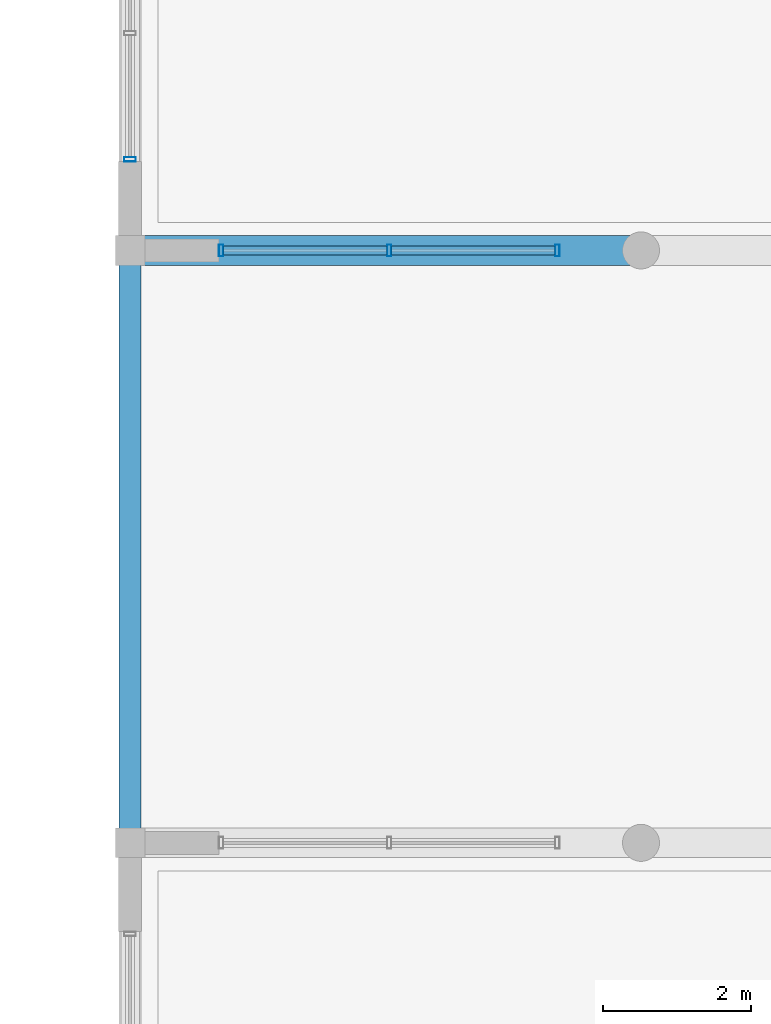
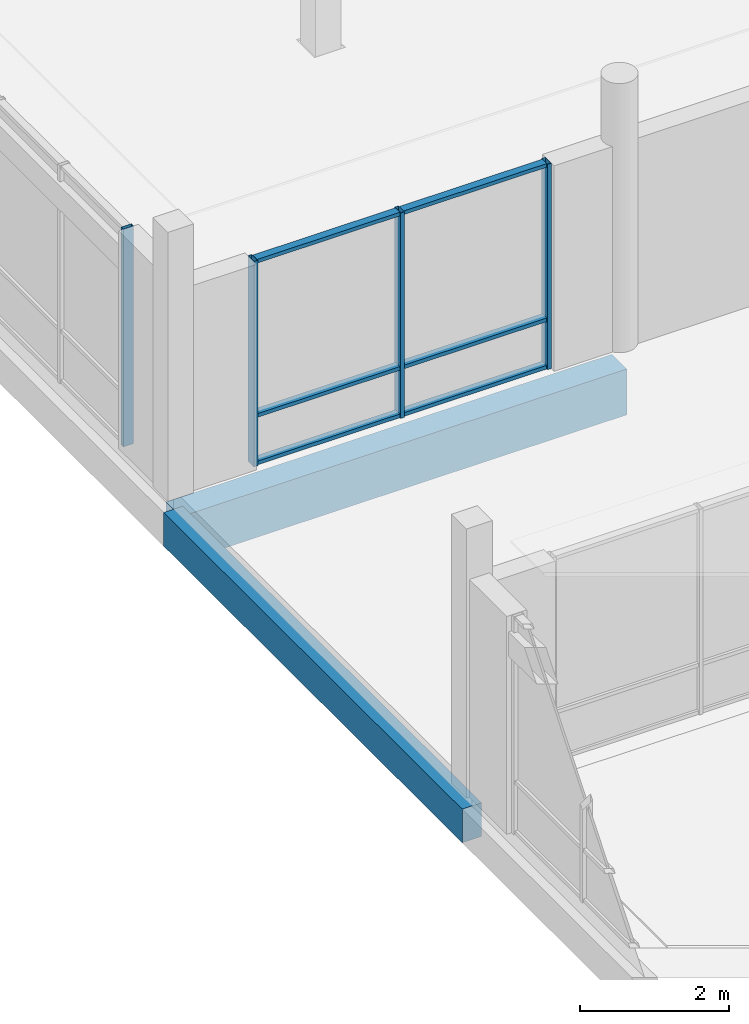
# One storey, part 54 of 233: 10 members, 2 beams, 2 elements without a shape of their own.
"""IFC4 building model written with IfcOpenShell, lengths in metres."""

import ifcopenshell
import ifcopenshell.guid

model = None  # the IFC model being written
_history = None  # IfcOwnerHistory: only IFC2X3 demands one
_inside = {}  # id of a spatial element -> (the spatial element, [elements in it])
_under = {}  # id of a project, library or spatial element -> (it, [spatial elements below it])
_declared = {}  # id of a project -> (the project, [libraries it declares])
_typed = {}  # id of a type object -> (the type object, [elements of that type])
_made_of = {}  # id of a material, layer set ... -> (it, [elements and type objects made of it])


def new_model(schema):
    """Start an empty IFC model of exactly this schema.

    Asked for "IFC4X3", IfcOpenShell would pick the latest addendum, in which some entities
    have other attributes; the version numbers below select the first issue.
    IFC2X3 requires an IfcOwnerHistory on every rooted entity: one is made here for all.
    """
    global model, _history
    if schema == "IFC4X3":
        model = ifcopenshell.file(schema_version=(4, 3, 0, 0))
    else:
        model = ifcopenshell.file(schema=schema)
    _inside.clear()
    _under.clear()
    _declared.clear()
    _typed.clear()
    _made_of.clear()
    _history = None
    if model.schema == "IFC2X3":
        org = make("IfcOrganization", Name="unknown")
        user = make(
            "IfcPersonAndOrganization",
            ThePerson=make("IfcPerson", FamilyName="unknown"),
            TheOrganization=org,
        )
        app = make(
            "IfcApplication",
            ApplicationDeveloper=org,
            Version="unknown",
            ApplicationFullName="unknown",
            ApplicationIdentifier="unknown",
        )
        _history = make(
            "IfcOwnerHistory",
            OwningUser=user,
            OwningApplication=app,
            ChangeAction="ADDED",
            CreationDate=0,
        )
    return model


def make(cls, **values):
    """One entity of the class cls with the attributes given. An attribute that is None is left unset."""
    return model.create_entity(
        cls, **{name: value for name, value in values.items() if value is not None}
    )


def rooted(cls, **values):
    """An entity with a GlobalId (a new one), such as an element, a storey or a relation."""
    return make(cls, GlobalId=ifcopenshell.guid.new(), OwnerHistory=_history, **values)


def si_unit(unit_type, name, prefix=None):
    """IfcSIUnit, for example si_unit("LENGTHUNIT", "METRE", prefix="MILLI")."""
    return make("IfcSIUnit", UnitType=unit_type, Prefix=prefix, Name=name)


def assignment(units):
    """IfcUnitAssignment: the units of a project."""
    return None if units is None else make("IfcUnitAssignment", Units=units)


def point(xyz):
    """IfcCartesianPoint."""
    return None if xyz is None else make("IfcCartesianPoint", Coordinates=xyz)


def direction(xyz):
    """IfcDirection."""
    return None if xyz is None else make("IfcDirection", DirectionRatios=xyz)


def frame(location, z_axis=None, x_axis=None):
    """IfcAxis2Placement3D, a coordinate frame: its origin and axes. An axis left out is left unset."""
    return make(
        "IfcAxis2Placement3D",
        Location=point(location),
        Axis=direction(z_axis),
        RefDirection=direction(x_axis),
    )


def frame_2d(location, x_axis=None):
    """IfcAxis2Placement2D, a coordinate frame in the plane: its origin and x axis."""
    return make(
        "IfcAxis2Placement2D", Location=point(location), RefDirection=direction(x_axis)
    )


def origin():
    """The frame at (0, 0, 0) with its axes left unset."""
    return frame((0.0, 0.0, 0.0))


def origin_2d():
    """The frame at (0, 0) in the plane with its x axis left unset."""
    return frame_2d((0.0, 0.0))


def place(relative_to, where):
    """IfcLocalPlacement: puts the frame where relative to a parent placement (None: the world)."""
    return make(
        "IfcLocalPlacement", PlacementRelTo=relative_to, RelativePlacement=where
    )


def context(
    kind, dimensions, precision=None, world=None, true_north=None, identifier=None
):
    """IfcGeometricRepresentationContext, for example the 3D "Model" context."""
    return make(
        "IfcGeometricRepresentationContext",
        ContextIdentifier=identifier,
        ContextType=kind,
        CoordinateSpaceDimension=dimensions,
        Precision=precision,
        WorldCoordinateSystem=world,
        TrueNorth=true_north,
    )


def subcontext(parent, identifier, kind, view, scale=None):
    """IfcGeometricRepresentationSubContext, for example "Body" below "Model"."""
    return make(
        "IfcGeometricRepresentationSubContext",
        ContextIdentifier=identifier,
        ContextType=kind,
        ParentContext=parent,
        TargetScale=scale,
        TargetView=view,
    )


def project(units=None, contexts=None):
    """IfcProject with its units and contexts."""
    return rooted(
        "IfcProject",
        Name="project",
        RepresentationContexts=contexts,
        UnitsInContext=assignment(units),
    )


def spatial(cls, under=None, at=None, **own):
    """A site, building, storey or space (cls), placed at a placement, below another one or the project."""
    s = rooted(cls, ObjectPlacement=at, **own)
    if under is not None:
        _under.setdefault(under.id(), (under, []))[1].append(s)
    return s


def profile(cls, at=None, kind="AREA", **sizes):
    """A parametric profile (cls). Its sizes go by their IFC names, for example OverallWidth=200.0."""
    return make(cls, ProfileType=kind, Position=at, **sizes)


def rectangle(**sizes):
    """IfcRectangleProfileDef."""
    return profile("IfcRectangleProfileDef", **sizes)


def hollow_rectangle(**sizes):
    """IfcRectangleHollowProfileDef."""
    return profile("IfcRectangleHollowProfileDef", **sizes)


def extrude(swept, where, along, depth):
    """IfcExtrudedAreaSolid: the profile swept, set in the frame where, extruded along a direction by depth."""
    return make(
        "IfcExtrudedAreaSolid",
        SweptArea=swept,
        Position=where,
        ExtrudedDirection=direction(along),
        Depth=depth,
    )


def shape(context_of_items, identifier, shape_type, items):
    """IfcShapeRepresentation: the items that make up one representation, for example the "Body"."""
    return make(
        "IfcShapeRepresentation",
        ContextOfItems=context_of_items,
        RepresentationIdentifier=identifier,
        RepresentationType=shape_type,
        Items=items,
    )


def material(Name=None, Category=None):
    """IfcMaterial."""
    return make("IfcMaterial", Name=Name, Category=Category)


def material_profile(
    of_material, cross_section, Name=None, Category=None, Priority=None
):
    """IfcMaterialProfile: a cross section and its material."""
    return make(
        "IfcMaterialProfile",
        Name=Name,
        Material=of_material,
        Profile=cross_section,
        Priority=Priority,
        Category=Category,
    )


def profile_set(profiles, Name=None, composite=None):
    """IfcMaterialProfileSet."""
    return make(
        "IfcMaterialProfileSet",
        Name=Name,
        MaterialProfiles=profiles,
        CompositeProfile=composite,
    )


def made_of(thing, what):
    """Note that an element or type object is made of a material, layer set ...; save() writes the relation."""
    if what is not None:
        _made_of.setdefault(what.id(), (what, []))[1].append(thing)
    return thing


def type_object(cls, material=None, **own):
    """A type object (cls), such as IfcWallType, which elements share."""
    return made_of(rooted(cls, **own), material)


def element(
    cls,
    number,
    at=None,
    inside=None,
    cuts=None,
    type_object=None,
    material=None,
    context=None,
    identifier="Body",
    shape_type=None,
    held_by="IfcProductDefinitionShape",
    body=None,
    shapes=None,
    **own,
):
    """One element of the class cls, such as IfcWall. Its Tag is "e" and its number.

    at: its placement. inside: the storey or other place that contains it. cuts: it is an
    opening in that element (IfcRelVoidsElement). A single representation is given by context,
    identifier, shape_type and body (its items); several are given by shapes. held_by: the class
    of the entity that holds the representations. save() writes the other relations.
    """
    e = rooted(cls, Tag="e%d" % number, ObjectPlacement=at, **own)
    if body is not None:
        shapes = [shape(context, identifier, shape_type, body)]
    if shapes is not None:
        e.Representation = make(held_by, Representations=shapes)
    if inside is not None:
        _inside.setdefault(inside.id(), (inside, []))[1].append(e)
    if cuts is not None:
        rooted(
            "IfcRelVoidsElement", RelatingBuildingElement=cuts, RelatedOpeningElement=e
        )
    if type_object is not None:
        _typed.setdefault(type_object.id(), (type_object, []))[1].append(e)
    return made_of(e, material)


def aggregate(whole, parts):
    """IfcRelAggregates: a whole, such as a stair, and the parts it consists of."""
    return rooted("IfcRelAggregates", RelatingObject=whole, RelatedObjects=parts)


def save(model, path):
    """Write the relations noted so far, then the file.

    IfcRelAggregates (storeys below a building ...), IfcRelContainedInSpatialStructure (elements
    in a storey), IfcRelDefinesByType, IfcRelAssociatesMaterial and IfcRelDeclares: one each for
    every whole, place, type object, material and project.
    """
    for whole, parts in _under.values():
        aggregate(whole, parts)
    for where, things in _inside.values():
        rooted(
            "IfcRelContainedInSpatialStructure",
            RelatedElements=things,
            RelatingStructure=where,
        )
    for kind, things in _typed.values():
        rooted("IfcRelDefinesByType", RelatedObjects=things, RelatingType=kind)
    for what, things in _made_of.values():
        rooted("IfcRelAssociatesMaterial", RelatedObjects=things, RelatingMaterial=what)
    for by, libraries in _declared.values():
        rooted("IfcRelDeclares", RelatingContext=by, RelatedDefinitions=libraries)
    model.write(path)


model = new_model("IFC4")

# Units and contexts
model_context = context("Model", 3, precision=1e-05, world=origin(), true_north=direction((0.0, 1.0)))
body_context = subcontext(model_context, "Body", "Model", "MODEL_VIEW")
ifc_project = project(units=[si_unit("LENGTHUNIT", "METRE"), si_unit("AREAUNIT", "SQUARE_METRE"), si_unit("VOLUMEUNIT", "CUBIC_METRE"), si_unit("PLANEANGLEUNIT", "RADIAN"), si_unit("MASSUNIT", "GRAM", prefix="KILO")], contexts=[model_context])

# Site, building, storey
site_placement = place(None, origin())
site = spatial("IfcSite", under=ifc_project, at=site_placement, CompositionType="ELEMENT")
building_placement = place(site_placement, origin())
building = spatial("IfcBuilding", under=site, at=building_placement, Name="Zavelmont Quarter", CompositionType="ELEMENT")
storey_placement = place(building_placement, origin())
storey = spatial("IfcBuildingStorey", under=building, at=storey_placement, Name="L00", CompositionType="ELEMENT", Elevation=0.0)

# Beams
ifc_material_1 = material(Name="Concrete C35/45", Category="concrete")
ifc_material_profile_1 = material_profile(ifc_material_1, rectangle(XDim=0.300048828125, YDim=0.550048828125, at=origin_2d()), Name="RC300X550")
ifc_profile_set_1 = profile_set([ifc_material_profile_1], Name="Concrete C35/45")
beam_type_1 = type_object("IfcBeamType", Name="BM02", PredefinedType="SPANDREL", material=ifc_profile_set_1)
beam_1_placement = place(storey_placement, frame((0.0, 54.0, -0.594970703125), z_axis=(0.0, 1.0, 0.0), x_axis=(-1.0, 0.0, 0.0)))
element("IfcBeam", 1, at=beam_1_placement, inside=storey, type_object=beam_type_1, Name="L00 beam BM02 1/J to 1/K", PredefinedType="SPANDREL", context=body_context, shape_type="SweptSolid", body=[
    extrude(rectangle(XDim=0.300048828125, YDim=0.550048828125, at=origin_2d()), origin(), (0.0, 0.0, 1.0), 8.0),
])
ifc_material_2 = material(Name="Concrete C40/50", Category="concrete")
ifc_material_profile_2 = material_profile(ifc_material_2, rectangle(XDim=0.39990234375, YDim=0.75, at=origin_2d()), Name="RC400X750")
ifc_profile_set_2 = profile_set([ifc_material_profile_2], Name="Concrete C40/50")
beam_type_2 = type_object("IfcBeamType", Name="BM05", PredefinedType="BEAM", material=ifc_profile_set_2)
beam_2_placement = place(storey_placement, frame((0.0, 62.0, -0.695068359375), z_axis=(1.0, 0.0, 0.0), x_axis=(0.0, 1.0, 0.0)))
element("IfcBeam", 2, at=beam_2_placement, inside=storey, type_object=beam_type_2, Name="L00 beam BM05 1/K to 2/K", PredefinedType="BEAM", context=body_context, shape_type="SweptSolid", body=[
    extrude(rectangle(XDim=0.39990234375, YDim=0.75, at=origin_2d()), origin(), (0.0, 0.0, 1.0), 6.89990234375),
])

# Curtain wall, member
ifc_material_3 = material(Name="Thermally broken aluminium and double low-E safety glazing", Category="aluminium")
curtain_wall_type_1 = type_object("IfcCurtainWallType", Name="CW-520X356", PredefinedType="NOTDEFINED", material=ifc_material_3)
curtain_wall_1_placement = place(storey_placement, origin())
curtain_wall_1 = element("IfcCurtainWall", 3, at=curtain_wall_1_placement, inside=storey, type_object=curtain_wall_type_1, Name="L00 unitised curtain wall CW-520X356", PredefinedType="NOTDEFINED")
ifc_material_4 = material(Name="Powder-coated aluminium EN AW-6063-T6", Category="aluminium")
ifc_material_profile_3 = material_profile(ifc_material_4, hollow_rectangle(XDim=0.06005859375, YDim=0.159912109375, WallThickness=0.00390625, at=origin_2d()), Name="CWM60X160")
ifc_profile_set_3 = profile_set([ifc_material_profile_3], Name="Powder-coated aluminium EN AW-6063-T6")
member_type_1 = type_object("IfcMemberType", Name="CWM01", PredefinedType="MULLION", material=ifc_profile_set_3)
member_1_placement = place(storey_placement, frame((0.0, 63.22998046875, 0.0), z_axis=(0.0, 0.0, 1.0), x_axis=(0.0, 1.0, 0.0)))
member_1 = element("IfcMember", 4, at=member_1_placement, type_object=member_type_1, Name="CW-520X356 mullion 1", PredefinedType="MULLION", context=body_context, shape_type="SweptSolid", body=[
    extrude(hollow_rectangle(XDim=0.06005859375, YDim=0.159912109375, WallThickness=0.00390625, at=origin_2d()), origin(), (0.0, 0.0, 1.0), 3.56005859375),
])
aggregate(curtain_wall_1, [member_1])

# Curtain wall, members
curtain_wall_type_2 = type_object("IfcCurtainWallType", Name="CW-460X336", PredefinedType="NOTDEFINED", material=ifc_material_3)
curtain_wall_2_placement = place(storey_placement, origin())
curtain_wall_2 = element("IfcCurtainWall", 5, at=curtain_wall_2_placement, inside=storey, type_object=curtain_wall_type_2, Name="L00 unitised curtain wall CW-460X336", PredefinedType="NOTDEFINED")
member_2_placement = place(storey_placement, frame((1.22998046875, 62.0, 0.0), z_axis=(0.0, 0.0, 1.0), x_axis=(1.0, 0.0, 0.0)))
member_2 = element("IfcMember", 6, at=member_2_placement, type_object=member_type_1, Name="CW-460X336 mullion 1", PredefinedType="MULLION", context=body_context, shape_type="SweptSolid", body=[
    extrude(hollow_rectangle(XDim=0.06005859375, YDim=0.159912109375, WallThickness=0.00390625, at=origin_2d()), origin(), (0.0, 0.0, 1.0), 3.360107421875),
])
member_3_placement = place(storey_placement, frame((3.5, 62.0, 0.0), z_axis=(0.0, 0.0, 1.0), x_axis=(1.0, 0.0, 0.0)))
member_3 = element("IfcMember", 7, at=member_3_placement, type_object=member_type_1, Name="CW-460X336 mullion 2", PredefinedType="MULLION", context=body_context, shape_type="SweptSolid", body=[
    extrude(hollow_rectangle(XDim=0.06005859375, YDim=0.159912109375, WallThickness=0.00390625, at=origin_2d()), origin(), (0.0, 0.0, 1.0), 3.360107421875),
])
member_4_placement = place(storey_placement, frame((5.77001953125, 62.0, 0.0), z_axis=(0.0, 0.0, 1.0), x_axis=(1.0, 0.0, 0.0)))
member_4 = element("IfcMember", 8, at=member_4_placement, type_object=member_type_1, Name="CW-460X336 mullion 3", PredefinedType="MULLION", context=body_context, shape_type="SweptSolid", body=[
    extrude(hollow_rectangle(XDim=0.06005859375, YDim=0.159912109375, WallThickness=0.00390625, at=origin_2d()), origin(), (0.0, 0.0, 1.0), 3.360107421875),
])
ifc_material_profile_4 = material_profile(ifc_material_4, hollow_rectangle(XDim=0.1201171875, YDim=0.06005859375, WallThickness=0.00390625, at=origin_2d()), Name="CWT60X120")
ifc_profile_set_4 = profile_set([ifc_material_profile_4], Name="Powder-coated aluminium EN AW-6063-T6")
member_type_2 = type_object("IfcMemberType", Name="CWT01", PredefinedType="NOTDEFINED", material=ifc_profile_set_4)
member_5_placement = place(storey_placement, frame((1.260009765625, 62.0, 0.030029296875), z_axis=(1.0, 0.0, 0.0), x_axis=(0.0, 1.0, 0.0)))
member_5 = element("IfcMember", 9, at=member_5_placement, type_object=member_type_2, Name="CW-460X336 transom 1.1", ObjectType="TRANSOM", PredefinedType="USERDEFINED", context=body_context, shape_type="SweptSolid", body=[
    extrude(hollow_rectangle(XDim=0.1201171875, YDim=0.06005859375, WallThickness=0.00390625, at=origin_2d()), origin(), (0.0, 0.0, 1.0), 2.2099609375),
])
member_6_placement = place(storey_placement, frame((1.260009765625, 62.0, 0.805908203125), z_axis=(1.0, 0.0, 0.0), x_axis=(0.0, 1.0, 0.0)))
member_6 = element("IfcMember", 10, at=member_6_placement, type_object=member_type_2, Name="CW-460X336 transom 1.2", ObjectType="TRANSOM", PredefinedType="USERDEFINED", context=body_context, shape_type="SweptSolid", body=[
    extrude(hollow_rectangle(XDim=0.1201171875, YDim=0.06005859375, WallThickness=0.00390625, at=origin_2d()), origin(), (0.0, 0.0, 1.0), 2.2099609375),
])
member_7_placement = place(storey_placement, frame((1.260009765625, 62.0, 3.330078125), z_axis=(1.0, 0.0, 0.0), x_axis=(0.0, 1.0, 0.0)))
member_7 = element("IfcMember", 11, at=member_7_placement, type_object=member_type_2, Name="CW-460X336 transom 1.3", ObjectType="TRANSOM", PredefinedType="USERDEFINED", context=body_context, shape_type="SweptSolid", body=[
    extrude(hollow_rectangle(XDim=0.1201171875, YDim=0.06005859375, WallThickness=0.00390625, at=origin_2d()), origin(), (0.0, 0.0, 1.0), 2.2099609375),
])
member_8_placement = place(storey_placement, frame((3.530029296875, 62.0, 0.030029296875), z_axis=(1.0, 0.0, 0.0), x_axis=(0.0, 1.0, 0.0)))
member_8 = element("IfcMember", 12, at=member_8_placement, type_object=member_type_2, Name="CW-460X336 transom 2.1", ObjectType="TRANSOM", PredefinedType="USERDEFINED", context=body_context, shape_type="SweptSolid", body=[
    extrude(hollow_rectangle(XDim=0.1201171875, YDim=0.06005859375, WallThickness=0.00390625, at=origin_2d()), origin(), (0.0, 0.0, 1.0), 2.2099609375),
])
member_9_placement = place(storey_placement, frame((3.530029296875, 62.0, 0.805908203125), z_axis=(1.0, 0.0, 0.0), x_axis=(0.0, 1.0, 0.0)))
member_9 = element("IfcMember", 13, at=member_9_placement, type_object=member_type_2, Name="CW-460X336 transom 2.2", ObjectType="TRANSOM", PredefinedType="USERDEFINED", context=body_context, shape_type="SweptSolid", body=[
    extrude(hollow_rectangle(XDim=0.1201171875, YDim=0.06005859375, WallThickness=0.00390625, at=origin_2d()), origin(), (0.0, 0.0, 1.0), 2.2099609375),
])
member_10_placement = place(storey_placement, frame((3.530029296875, 62.0, 3.330078125), z_axis=(1.0, 0.0, 0.0), x_axis=(0.0, 1.0, 0.0)))
member_10 = element("IfcMember", 14, at=member_10_placement, type_object=member_type_2, Name="CW-460X336 transom 2.3", ObjectType="TRANSOM", PredefinedType="USERDEFINED", context=body_context, shape_type="SweptSolid", body=[
    extrude(hollow_rectangle(XDim=0.1201171875, YDim=0.06005859375, WallThickness=0.00390625, at=origin_2d()), origin(), (0.0, 0.0, 1.0), 2.2099609375),
])
aggregate(curtain_wall_2, [member_2, member_3, member_4, member_5, member_6, member_7, member_8, member_9, member_10])

save(model, "model.ifc")
